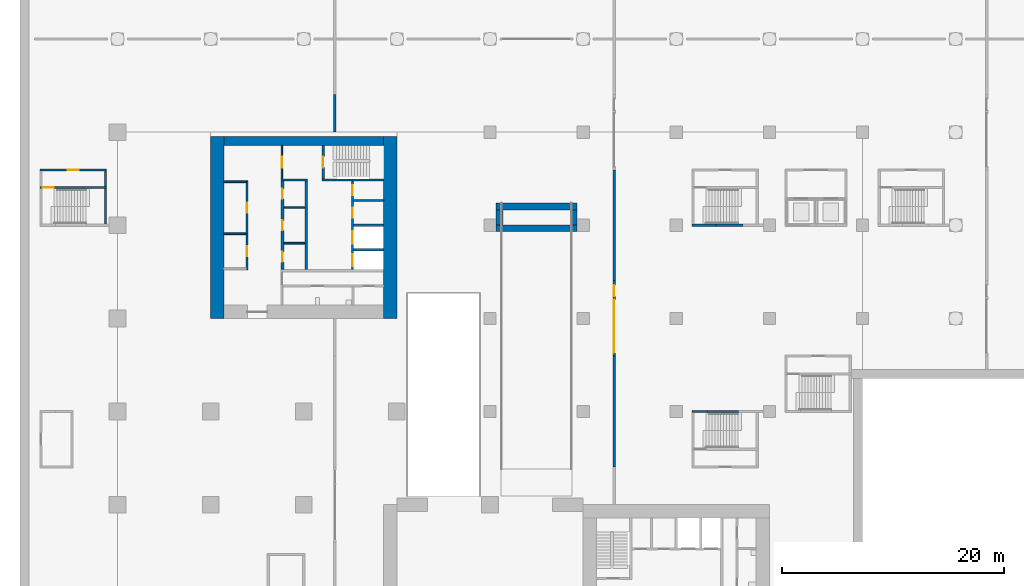
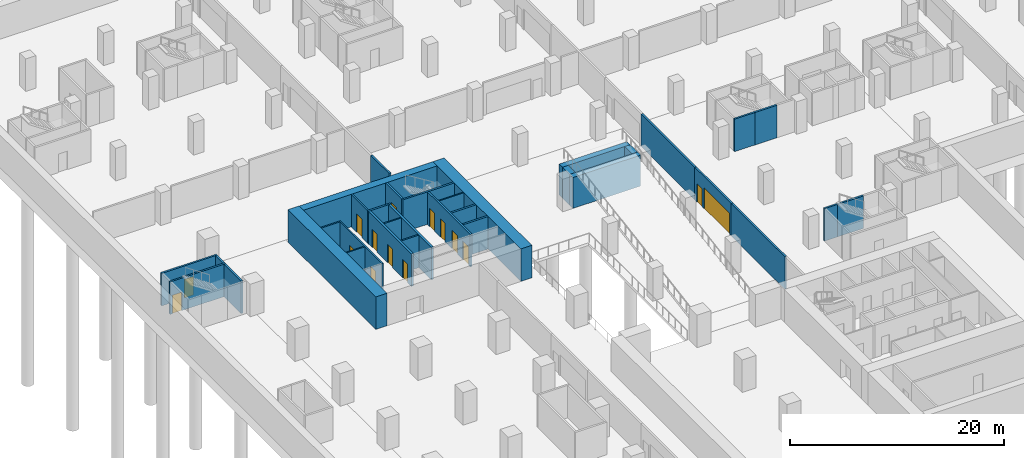
# One storey, part 6 of 19: 34 walls, 15 doors, 15 openings.
"""IFC4 building model written with IfcOpenShell, lengths in metres."""

from ifc_helpers import new_model, si_unit, direction, frame, frame_2d, origin, place, context, subcontext, project, spatial, rectangle, extrude, material, layer, layer_set, type_object, element, fill, save


model = new_model("IFC4")

# Units and contexts
model_context = context("Model", 3, precision=1e-05, world=origin(), true_north=direction((0.0, 1.0)))
body_context = subcontext(model_context, "Body", "Model", "MODEL_VIEW")
ifc_project = project(units=[si_unit("LENGTHUNIT", "METRE"), si_unit("AREAUNIT", "SQUARE_METRE"), si_unit("VOLUMEUNIT", "CUBIC_METRE"), si_unit("PLANEANGLEUNIT", "RADIAN"), si_unit("MASSUNIT", "GRAM", prefix="KILO")], contexts=[model_context])

# Site, building, storey
site_placement = place(None, origin())
site = spatial("IfcSite", under=ifc_project, at=site_placement, CompositionType="ELEMENT")
building_placement = place(site_placement, origin())
building = spatial("IfcBuilding", under=site, at=building_placement, Name="Vermilion Gate Residences", CompositionType="ELEMENT")
storey_placement = place(building_placement, frame((0.0, 0.0, -8.0)))
storey = spatial("IfcBuildingStorey", under=building, at=storey_placement, Name="B2", CompositionType="ELEMENT", Elevation=-8.0)

# Walls
ifc_material_1 = material(Name="Masonry blockwork", Category="masonry")
ifc_layer_1 = layer(ifc_material_1, 0.14990234375)
ifc_layer_set_1 = layer_set([ifc_layer_1], Name="BLOCKWORK PARTITION 150 EI 120")
wall_type_1 = type_object("IfcWallType", Name="BLOCKWORK PARTITION 150 EI 120", PredefinedType="PARTITIONING", material=ifc_layer_set_1)
for number, where, z_axis, x_axis, name in (
    (1, (9.60009765625, 54.324951171875, 0.0), (0.0, 0.0, 1.0), (1.0, 0.0, 0.0), "Core room partition BB2-RW-W"),
    (2, (9.60009765625, 49.64501953125, 0.0), (0.0, 0.0, 1.0), (1.0, 0.0, 0.0), "Core room partition BB2-SR-P0"),
):
    element("IfcWall", number, at=place(storey_placement, frame(where, z_axis=z_axis, x_axis=x_axis)), inside=storey, type_object=wall_type_1, Name=name, PredefinedType="PARTITIONING", context=body_context, shape_type="SweptSolid", body=[
        extrude(rectangle(XDim=2.0, YDim=0.14990234375, at=frame_2d((1.0, 0.0))), origin(), (0.0, 0.0, 1.0), 3.699951171875),
    ])

# Wall, openings, doors
wall_1_placement = place(storey_placement, frame((11.675048828125, 54.39990234375, 0.0), z_axis=(0.0, 0.0, 1.0), x_axis=(0.0, -1.0, 0.0)))
wall_1 = element("IfcWall", 3, at=wall_1_placement, inside=storey, type_object=wall_type_1, Name="Core room partition BB2-LR-F", PredefinedType="PARTITIONING", context=body_context, shape_type="SweptSolid", body=[
    extrude(rectangle(XDim=8.0, YDim=0.14990234375, at=frame_2d((4.0, 0.0))), origin(), (0.0, 0.0, 1.0), 3.699951171875),
])
opening_1_placement = place(wall_1_placement, frame((1.965087890625, 0.0, 0.0)))
opening_1 = element("IfcOpeningElement", 4, at=opening_1_placement, cuts=wall_1, Name="Opening DKB2102", PredefinedType="OPENING", context=body_context, shape_type="SweptSolid", body=[
    extrude(rectangle(XDim=0.89990234375, YDim=2.10009765625, at=frame_2d((0.449951171875, 1.050048828125))), frame((0.0, 0.0849609375, 0.0), z_axis=(0.0, -1.0, 0.0), x_axis=(1.0, 0.0, 0.0)), (0.0, 0.0, 1.0), 0.169921875),
])
opening_2_placement = place(wall_1_placement, frame((5.889892578125, 0.0, 0.0)))
opening_2 = element("IfcOpeningElement", 5, at=opening_2_placement, cuts=wall_1, Name="Opening DKB2103", PredefinedType="OPENING", context=body_context, shape_type="SweptSolid", body=[
    extrude(rectangle(XDim=0.89990234375, YDim=2.10009765625, at=frame_2d((0.449951171875, 1.050048828125))), frame((0.0, 0.0849609375, 0.0), z_axis=(0.0, -1.0, 0.0), x_axis=(1.0, 0.0, 0.0)), (0.0, 0.0, 1.0), 0.169921875),
])
ifc_material_2 = material(Name="Steel", Category="steel")
door_type_1 = type_object("IfcDoorType", Name="SERVICE ROOM DOOR FD60 900 X 2100", OperationType="SINGLE_SWING_LEFT", PredefinedType="DOOR", material=ifc_material_2)
door_1_placement = place(opening_1_placement, frame((0.89990234375, 0.0, 0.0), z_axis=(0.0, 0.0, 1.0), x_axis=(-1.0, 0.0, 0.0)))
door_1 = element("IfcDoor", 6, at=door_1_placement, inside=storey, type_object=door_type_1, Name="Mail room BB2", OperationType="SINGLE_SWING_LEFT", OverallHeight=2.10009765625, OverallWidth=0.89990234375, PredefinedType="DOOR", context=body_context, shape_type="SweptSolid", body=[
    extrude(rectangle(XDim=0.89990234375, YDim=2.10009765625, at=frame_2d((0.449951171875, 1.050048828125))), frame((0.0, 0.02490234375, 0.0), z_axis=(0.0, -1.0, 0.0), x_axis=(1.0, 0.0, 0.0)), (0.0, 0.0, 1.0), 0.050048828125),
])
fill(opening_1, door_1)
door_2_placement = place(opening_2_placement, frame((0.89990234375, 0.0, 0.0), z_axis=(0.0, 0.0, 1.0), x_axis=(-1.0, 0.0, 0.0)))
door_2 = element("IfcDoor", 7, at=door_2_placement, inside=storey, type_object=door_type_1, Name="Cleaner's store BB2", OperationType="SINGLE_SWING_LEFT", OverallHeight=2.10009765625, OverallWidth=0.89990234375, PredefinedType="DOOR", context=body_context, shape_type="SweptSolid", body=[
    extrude(rectangle(XDim=0.89990234375, YDim=2.10009765625, at=frame_2d((0.449951171875, 1.050048828125))), frame((0.0, 0.02490234375, 0.0), z_axis=(0.0, -1.0, 0.0), x_axis=(1.0, 0.0, 0.0)), (0.0, 0.0, 1.0), 0.050048828125),
])
fill(opening_2, door_2)

# Walls
for number, where, z_axis, x_axis, name in (
    (8, (15.0, 52.014892578125, 0.0), (0.0, 0.0, 1.0), (1.0, 0.0, 0.0), "Core room partition BB2-HR-P0"),
    (9, (15.0, 48.784912109375, 0.0), (0.0, 0.0, 1.0), (1.0, 0.0, 0.0), "Core room partition BB2-HR-P1"),
):
    element("IfcWall", number, at=place(storey_placement, frame(where, z_axis=z_axis, x_axis=x_axis)), inside=storey, type_object=wall_type_1, Name=name, PredefinedType="PARTITIONING", context=body_context, shape_type="SweptSolid", body=[
        extrude(rectangle(XDim=1.89990234375, YDim=0.14990234375, at=frame_2d((0.949951171875, 0.0))), origin(), (0.0, 0.0, 1.0), 3.699951171875),
    ])
wall_2_placement = place(storey_placement, frame((21.300048828125, 52.637451171875, 0.0), z_axis=(0.0, 0.0, 1.0), x_axis=(1.0, 0.0, 0.0)))
element("IfcWall", 10, at=wall_2_placement, inside=storey, type_object=wall_type_1, Name="Core room partition BB2-NR-P0", PredefinedType="PARTITIONING", context=body_context, shape_type="SweptSolid", body=[
    extrude(rectangle(XDim=2.699951171875, YDim=0.14990234375, at=frame_2d((1.35009765625, 0.0))), origin(), (0.0, 0.0, 1.0), 3.699951171875),
])

# Wall, opening, door
wall_3_placement = place(storey_placement, frame((14.824951171875, 57.60009765625, 0.0), z_axis=(0.0, 0.0, 1.0), x_axis=(0.0, -1.0, 0.0)))
wall_3 = element("IfcWall", 11, at=wall_3_placement, inside=storey, type_object=wall_type_1, Name="Core room partition BB2-VW-S", PredefinedType="PARTITIONING", context=body_context, shape_type="SweptSolid", body=[
    extrude(rectangle(XDim=3.0, YDim=0.14990234375, at=frame_2d((1.5, 0.0))), origin(), (0.0, 0.0, 1.0), 3.699951171875),
])
opening_3_placement = place(wall_3_placement, frame((1.0, 0.0, 0.0)))
opening_3 = element("IfcOpeningElement", 12, at=opening_3_placement, cuts=wall_3, Name="Opening DKB2111", PredefinedType="OPENING", context=body_context, shape_type="SweptSolid", body=[
    extrude(rectangle(XDim=1.0, YDim=2.10009765625, at=frame_2d((0.5, 1.050048828125))), frame((0.0, 0.0849609375, 0.0), z_axis=(0.0, -1.0, 0.0), x_axis=(1.0, 0.0, 0.0)), (0.0, 0.0, 1.0), 0.169921875),
])
ifc_material_3 = material(Name="Steel", Category="steel")
door_type_2 = type_object("IfcDoorType", Name="FIRE DOOR FD60 1000 X 2100", OperationType="SINGLE_SWING_LEFT", PredefinedType="DOOR", material=ifc_material_3)
door_3_placement = place(opening_3_placement, frame((1.0, 0.0, 0.0), z_axis=(0.0, 0.0, 1.0), x_axis=(-1.0, 0.0, 0.0)))
door_3 = element("IfcDoor", 13, at=door_3_placement, inside=storey, type_object=door_type_2, Name="Stair vestibule door BB2", OperationType="SINGLE_SWING_RIGHT", OverallHeight=2.10009765625, OverallWidth=1.0, PredefinedType="DOOR", context=body_context, shape_type="SweptSolid", body=[
    extrude(rectangle(XDim=1.0, YDim=2.10009765625, at=frame_2d((0.5, 1.050048828125))), frame((0.0, 0.02490234375, 0.0), z_axis=(0.0, -1.0, 0.0), x_axis=(1.0, 0.0, 0.0)), (0.0, 0.0, 1.0), 0.050048828125),
])
fill(opening_3, door_3)

# Walls
ifc_material_4 = material(Name="Concrete blockwork", Category="masonry")
ifc_layer_2 = layer(ifc_material_4, 0.199951171875)
ifc_layer_set_2 = layer_set([ifc_layer_2], Name="GARAGE FIRE WALL 200 EI 120 (AMENITY)")
wall_type_2 = type_object("IfcWallType", Name="GARAGE FIRE WALL 200 EI 120 (AMENITY)", PredefinedType="PARTITIONING", material=ifc_layer_set_2)
wall_4_placement = place(storey_placement, frame((19.60009765625, 58.800048828125, 0.0), z_axis=(0.0, 0.0, 1.0), x_axis=(0.0, 1.0, 0.0)))
element("IfcWall", 14, at=wall_4_placement, inside=storey, type_object=wall_type_2, Name="Fire compartment wall", PredefinedType="PARTITIONING", context=body_context, shape_type="SweptSolid", body=[
    extrude(rectangle(XDim=3.39990234375, YDim=0.199951171875, at=frame_2d((1.699951171875, 0.0))), origin(), (0.0, 0.0, 1.0), 3.699951171875),
])
wall_5_placement = place(storey_placement, frame((44.800048828125, 28.60009765625, 0.0), z_axis=(0.0, 0.0, 1.0), x_axis=(0.0, 1.0, 0.0)))
element("IfcWall", 15, at=wall_5_placement, inside=storey, type_object=wall_type_2, Name="Fire compartment wall", PredefinedType="PARTITIONING", context=body_context, shape_type="SweptSolid", body=[
    extrude(rectangle(XDim=10.0, YDim=0.199951171875, at=frame_2d((5.0, 0.0))), origin(), (0.0, 0.0, 1.0), 3.699951171875),
])

# Wall, openings, doors
wall_6_placement = place(storey_placement, frame((44.800048828125, 38.60009765625, 0.0), z_axis=(0.0, 0.0, 1.0), x_axis=(0.0, 1.0, 0.0)))
wall_6 = element("IfcWall", 16, at=wall_6_placement, inside=storey, type_object=wall_type_2, Name="Fire compartment wall", PredefinedType="PARTITIONING", context=body_context, shape_type="SweptSolid", body=[
    extrude(rectangle(XDim=6.7998046875, YDim=0.199951171875, at=frame_2d((3.39990234375, 0.0))), origin(), (0.0, 0.0, 1.0), 3.699951171875),
])
opening_4_placement = place(wall_6_placement, frame((0.300048828125, 0.0, 0.0)))
opening_4 = element("IfcOpeningElement", 17, at=opening_4_placement, cuts=wall_6, Name="Opening DGB2009", PredefinedType="OPENING", context=body_context, shape_type="SweptSolid", body=[
    extrude(rectangle(XDim=4.800048828125, YDim=2.39990234375, at=frame_2d((2.39990234375, 1.199951171875))), frame((0.0, 0.10986328125, 0.0), z_axis=(0.0, -1.0, 0.0), x_axis=(1.0, 0.0, 0.0)), (0.0, 0.0, 1.0), 0.219970703125),
])
opening_5_placement = place(wall_6_placement, frame((5.39990234375, 0.0, 0.0)))
opening_5 = element("IfcOpeningElement", 18, at=opening_5_placement, cuts=wall_6, Name="Opening DGB2010", PredefinedType="OPENING", context=body_context, shape_type="SweptSolid", body=[
    extrude(rectangle(XDim=1.0, YDim=2.10009765625, at=frame_2d((0.5, 1.050048828125))), frame((0.0, 0.10986328125, 0.0), z_axis=(0.0, -1.0, 0.0), x_axis=(1.0, 0.0, 0.0)), (0.0, 0.0, 1.0), 0.219970703125),
])
ifc_material_5 = material(Name="Steel", Category="steel")
door_type_3 = type_object("IfcDoorType", Name="DOOR 1000 X 2100 FD120 (AMENITY)", OperationType="SINGLE_SWING_LEFT", PredefinedType="DOOR", material=ifc_material_5)
door_4_placement = place(opening_5_placement, frame((1.0, 0.0, 0.0), z_axis=(0.0, 0.0, 1.0), x_axis=(-1.0, 0.0, 0.0)))
door_4 = element("IfcDoor", 19, at=door_4_placement, inside=storey, type_object=door_type_3, Name="Fire door", OperationType="SINGLE_SWING_RIGHT", OverallHeight=2.10009765625, OverallWidth=1.0, PredefinedType="DOOR", context=body_context, shape_type="SweptSolid", body=[
    extrude(rectangle(XDim=1.0, YDim=2.10009765625, at=frame_2d((0.5, 1.050048828125))), frame((0.0, 0.02490234375, 0.0), z_axis=(0.0, -1.0, 0.0), x_axis=(1.0, 0.0, 0.0)), (0.0, 0.0, 1.0), 0.050048828125),
])
fill(opening_5, door_4)
ifc_material_6 = material(Name="Steel", Category="steel")
door_type_4 = type_object("IfcDoorType", Name="FIRE SHUTTER 4800 X 2400 (AMENITY)", OperationType="ROLLINGUP", PredefinedType="GATE", material=ifc_material_6)
door_5_placement = place(opening_4_placement, origin())
door_5 = element("IfcDoor", 20, at=door_5_placement, inside=storey, type_object=door_type_4, Name="Fire shutter", OperationType="ROLLINGUP", OverallHeight=2.39990234375, OverallWidth=4.800048828125, PredefinedType="GATE", context=body_context, shape_type="SweptSolid", body=[
    extrude(rectangle(XDim=4.800048828125, YDim=2.39990234375, at=frame_2d((2.39990234375, 1.199951171875))), frame((0.0, 0.02490234375, 0.0), z_axis=(0.0, -1.0, 0.0), x_axis=(1.0, 0.0, 0.0)), (0.0, 0.0, 1.0), 0.050048828125),
])
fill(opening_4, door_5)

# Walls
wall_7_placement = place(storey_placement, frame((44.800048828125, 45.39990234375, 0.0), z_axis=(0.0, 0.0, 1.0), x_axis=(0.0, 1.0, 0.0)))
element("IfcWall", 21, at=wall_7_placement, inside=storey, type_object=wall_type_2, Name="Fire compartment wall", PredefinedType="PARTITIONING", context=body_context, shape_type="SweptSolid", body=[
    extrude(rectangle(XDim=10.0, YDim=0.199951171875, at=frame_2d((5.0, 0.0))), origin(), (0.0, 0.0, 1.0), 3.699951171875),
])
ifc_material_7 = material(Name="Concrete C40", Category="concrete")
ifc_layer_3 = layer(ifc_material_7, 0.60009765625)
ifc_layer_set_3 = layer_set([ifc_layer_3], Name="RAMP ABUTMENT WALL 600 (AMENITY)")
wall_type_3 = type_object("IfcWallType", Name="RAMP ABUTMENT WALL 600 (AMENITY)", PredefinedType="SOLIDWALL", material=ifc_layer_set_3)
for number, where, z_axis, x_axis, name in (
    (22, (34.14990234375, 50.14990234375, 0.0), (0.0, 0.0, 1.0), (1.0, 0.0, 0.0), "Ramp 2 abutment springing wall"),
    (23, (34.14990234375, 52.10009765625, 0.0), (0.0, 0.0, 1.0), (1.0, 0.0, 0.0), "Ramp 2 abutment head wall"),
):
    element("IfcWall", number, at=place(storey_placement, frame(where, z_axis=z_axis, x_axis=x_axis)), inside=storey, type_object=wall_type_3, Name=name, PredefinedType="SOLIDWALL", context=body_context, shape_type="SweptSolid", body=[
        extrude(rectangle(XDim=7.300048828125, YDim=0.60009765625, at=frame_2d((3.64990234375, 0.0))), origin(), (0.0, 0.0, 1.0), 3.52001953125),
    ])
for number, where, z_axis, x_axis, name in (
    (24, (34.449951171875, 50.449951171875, 0.0), (0.0, 0.0, 1.0), (0.0, 1.0, 0.0), "Ramp 2 abutment west wing wall"),
    (25, (41.14990234375, 50.449951171875, 0.0), (0.0, 0.0, 1.0), (0.0, 1.0, 0.0), "Ramp 2 abutment east wing wall"),
):
    element("IfcWall", number, at=place(storey_placement, frame(where, z_axis=z_axis, x_axis=x_axis)), inside=storey, type_object=wall_type_3, Name=name, PredefinedType="SOLIDWALL", context=body_context, shape_type="SweptSolid", body=[
        extrude(rectangle(XDim=1.35009765625, YDim=0.60009765625, at=frame_2d((0.675048828125, 0.0))), origin(), (0.0, 0.0, 1.0), 3.52001953125),
    ])
ifc_material_8 = material(Name="Concrete C60", Category="concrete")
ifc_layer_4 = layer(ifc_material_8, 0.199951171875)
ifc_layer_set_4 = layer_set([ifc_layer_4], Name="RC CORE INTERNAL WALL 200 C60")
wall_type_4 = type_object("IfcWallType", Name="RC CORE INTERNAL WALL 200 C60", PredefinedType="SHEAR", material=ifc_layer_set_4)
for number, where, z_axis, x_axis, name in (
    (26, (21.300048828125, 50.39990234375, 0.0), (0.0, 0.0, 1.0), (1.0, 0.0, 0.0), "Core internal wall BB2-FF-D0"),
    (27, (21.300048828125, 48.199951171875, 0.0), (0.0, 0.0, 1.0), (1.0, 0.0, 0.0), "Core internal wall BB2-FF-D1"),
):
    element("IfcWall", number, at=place(storey_placement, frame(where, z_axis=z_axis, x_axis=x_axis)), inside=storey, type_object=wall_type_4, Name=name, PredefinedType="SHEAR", context=body_context, shape_type="SweptSolid", body=[
        extrude(rectangle(XDim=2.699951171875, YDim=0.199951171875, at=frame_2d((1.35009765625, 0.0))), origin(), (0.0, 0.0, 1.0), 3.699951171875),
    ])

# Wall, openings, doors
wall_8_placement = place(storey_placement, frame((21.199951171875, 54.39990234375, 0.0), z_axis=(0.0, 0.0, 1.0), x_axis=(0.0, -1.0, 0.0)))
wall_8 = element("IfcWall", 28, at=wall_8_placement, inside=storey, type_object=wall_type_4, Name="Core internal wall BB2-FF-F", PredefinedType="SHEAR", context=body_context, shape_type="SweptSolid", body=[
    extrude(rectangle(XDim=8.0, YDim=0.199951171875, at=frame_2d((4.0, 0.0))), origin(), (0.0, 0.0, 1.0), 3.699951171875),
])
opening_6_placement = place(wall_8_placement, frame((0.393798828125, 0.0, 0.0)))
opening_6 = element("IfcOpeningElement", 29, at=opening_6_placement, cuts=wall_8, Name="Opening DKB2107", PredefinedType="OPENING", context=body_context, shape_type="SweptSolid", body=[
    extrude(rectangle(XDim=0.89990234375, YDim=2.10009765625, at=frame_2d((0.449951171875, 1.050048828125))), frame((0.0, 0.10986328125, 0.0), z_axis=(0.0, -1.0, 0.0), x_axis=(1.0, 0.0, 0.0)), (0.0, 0.0, 1.0), 0.219970703125),
])
opening_7_placement = place(wall_8_placement, frame((2.418701171875, 0.0, 0.0)))
opening_7 = element("IfcOpeningElement", 30, at=opening_7_placement, cuts=wall_8, Name="Opening DKB2108", PredefinedType="OPENING", context=body_context, shape_type="SweptSolid", body=[
    extrude(rectangle(XDim=0.89990234375, YDim=2.10009765625, at=frame_2d((0.449951171875, 1.050048828125))), frame((0.0, 0.10986328125, 0.0), z_axis=(0.0, -1.0, 0.0), x_axis=(1.0, 0.0, 0.0)), (0.0, 0.0, 1.0), 0.219970703125),
])
opening_8_placement = place(wall_8_placement, frame((4.550048828125, 0.0, 0.0)))
opening_8 = element("IfcOpeningElement", 31, at=opening_8_placement, cuts=wall_8, Name="Opening LD", PredefinedType="OPENING", context=body_context, shape_type="SweptSolid", body=[
    extrude(rectangle(XDim=1.10009765625, YDim=2.10009765625, at=frame_2d((0.550048828125, 1.050048828125))), frame((0.0, 0.10986328125, 0.0), z_axis=(0.0, -1.0, 0.0), x_axis=(1.0, 0.0, 0.0)), (0.0, 0.0, 1.0), 0.219970703125),
])
opening_9_placement = place(wall_8_placement, frame((6.60009765625, 0.0, 0.0)))
opening_9 = element("IfcOpeningElement", 32, at=opening_9_placement, cuts=wall_8, Name="Opening LD", PredefinedType="OPENING", context=body_context, shape_type="SweptSolid", body=[
    extrude(rectangle(XDim=1.10009765625, YDim=2.10009765625, at=frame_2d((0.550048828125, 1.050048828125))), frame((0.0, 0.10986328125, 0.0), z_axis=(0.0, -1.0, 0.0), x_axis=(1.0, 0.0, 0.0)), (0.0, 0.0, 1.0), 0.219970703125),
])
ifc_material_9 = material(Name="Stainless steel", Category="steel")
door_type_5 = type_object("IfcDoorType", Name="LIFT LANDING DOOR E60 1100 X 2100", OperationType="DOUBLE_DOOR_SLIDING", PredefinedType="DOOR", material=ifc_material_9)
door_6_placement = place(opening_8_placement, origin())
door_6 = element("IfcDoor", 33, at=door_6_placement, inside=storey, type_object=door_type_5, Name="Lift landing door LFB1", OperationType="DOUBLE_DOOR_SLIDING", OverallHeight=2.10009765625, OverallWidth=1.10009765625, PredefinedType="DOOR", context=body_context, shape_type="SweptSolid", body=[
    extrude(rectangle(XDim=1.10009765625, YDim=2.10009765625, at=frame_2d((0.550048828125, 1.050048828125))), frame((0.0, 0.02490234375, 0.0), z_axis=(0.0, -1.0, 0.0), x_axis=(1.0, 0.0, 0.0)), (0.0, 0.0, 1.0), 0.050048828125),
])
fill(opening_8, door_6)
door_7_placement = place(opening_9_placement, origin())
door_7 = element("IfcDoor", 34, at=door_7_placement, inside=storey, type_object=door_type_5, Name="Lift landing door LCB1", OperationType="DOUBLE_DOOR_SLIDING", OverallHeight=2.10009765625, OverallWidth=1.10009765625, PredefinedType="DOOR", context=body_context, shape_type="SweptSolid", body=[
    extrude(rectangle(XDim=1.10009765625, YDim=2.10009765625, at=frame_2d((0.550048828125, 1.050048828125))), frame((0.0, 0.02490234375, 0.0), z_axis=(0.0, -1.0, 0.0), x_axis=(1.0, 0.0, 0.0)), (0.0, 0.0, 1.0), 0.050048828125),
])
fill(opening_9, door_7)
door_8_placement = place(opening_6_placement, origin())
door_8 = element("IfcDoor", 35, at=door_8_placement, inside=storey, type_object=door_type_1, Name="Housekeeping store BB2", OperationType="SINGLE_SWING_RIGHT", OverallHeight=2.10009765625, OverallWidth=0.89990234375, PredefinedType="DOOR", context=body_context, shape_type="SweptSolid", body=[
    extrude(rectangle(XDim=0.89990234375, YDim=2.10009765625, at=frame_2d((0.449951171875, 1.050048828125))), frame((0.0, 0.02490234375, 0.0), z_axis=(0.0, -1.0, 0.0), x_axis=(1.0, 0.0, 0.0)), (0.0, 0.0, 1.0), 0.050048828125),
])
fill(opening_6, door_8)
door_9_placement = place(opening_7_placement, origin())
door_9 = element("IfcDoor", 36, at=door_9_placement, inside=storey, type_object=door_type_1, Name="Mail room BB2", OperationType="SINGLE_SWING_RIGHT", OverallHeight=2.10009765625, OverallWidth=0.89990234375, PredefinedType="DOOR", context=body_context, shape_type="SweptSolid", body=[
    extrude(rectangle(XDim=0.89990234375, YDim=2.10009765625, at=frame_2d((0.449951171875, 1.050048828125))), frame((0.0, 0.02490234375, 0.0), z_axis=(0.0, -1.0, 0.0), x_axis=(1.0, 0.0, 0.0)), (0.0, 0.0, 1.0), 0.050048828125),
])
fill(opening_7, door_9)

# Walls
wall_9_placement = place(storey_placement, frame((14.75, 54.5, 0.0), z_axis=(0.0, 0.0, 1.0), x_axis=(1.0, 0.0, 0.0)))
element("IfcWall", 37, at=wall_9_placement, inside=storey, type_object=wall_type_4, Name="Core internal wall BB2-WDIV1", PredefinedType="SHEAR", context=body_context, shape_type="SweptSolid", body=[
    extrude(rectangle(XDim=2.39990234375, YDim=0.199951171875, at=frame_2d((1.199951171875, 0.0))), origin(), (0.0, 0.0, 1.0), 3.699951171875),
])
wall_10_placement = place(storey_placement, frame((18.449951171875, 54.5, 0.0), z_axis=(0.0, 0.0, 1.0), x_axis=(1.0, 0.0, 0.0)))
element("IfcWall", 38, at=wall_10_placement, inside=storey, type_object=wall_type_4, Name="Core internal wall BB2-WDIV2", PredefinedType="SHEAR", context=body_context, shape_type="SweptSolid", body=[
    extrude(rectangle(XDim=5.550048828125, YDim=0.199951171875, at=frame_2d((2.77490234375, 0.0))), origin(), (0.0, 0.0, 1.0), 3.699951171875),
])

# Wall, opening, door
wall_11_placement = place(storey_placement, frame((18.550048828125, 57.60009765625, 0.0), z_axis=(0.0, 0.0, 1.0), x_axis=(0.0, -1.0, 0.0)))
wall_11 = element("IfcWall", 39, at=wall_11_placement, inside=storey, type_object=wall_type_4, Name="Core internal wall BB2-STW-S", PredefinedType="SHEAR", context=body_context, shape_type="SweptSolid", body=[
    extrude(rectangle(XDim=3.0, YDim=0.199951171875, at=frame_2d((1.5, 0.0))), origin(), (0.0, 0.0, 1.0), 3.699951171875),
])
opening_10_placement = place(wall_11_placement, frame((1.0, 0.0, 0.0)))
opening_10 = element("IfcOpeningElement", 40, at=opening_10_placement, cuts=wall_11, Name="Opening DKB2112", PredefinedType="OPENING", context=body_context, shape_type="SweptSolid", body=[
    extrude(rectangle(XDim=1.0, YDim=2.10009765625, at=frame_2d((0.5, 1.050048828125))), frame((0.0, 0.10986328125, 0.0), z_axis=(0.0, -1.0, 0.0), x_axis=(1.0, 0.0, 0.0)), (0.0, 0.0, 1.0), 0.219970703125),
])
door_10_placement = place(opening_10_placement, origin())
door_10 = element("IfcDoor", 41, at=door_10_placement, inside=storey, type_object=door_type_2, Name="Stair door BB2", OperationType="SINGLE_SWING_LEFT", OverallHeight=2.10009765625, OverallWidth=1.0, PredefinedType="DOOR", context=body_context, shape_type="SweptSolid", body=[
    extrude(rectangle(XDim=1.0, YDim=2.10009765625, at=frame_2d((0.5, 1.050048828125))), frame((0.0, 0.02490234375, 0.0), z_axis=(0.0, -1.0, 0.0), x_axis=(1.0, 0.0, 0.0)), (0.0, 0.0, 1.0), 0.050048828125),
])
fill(opening_10, door_10)

# Walls
ifc_material_10 = material(Name="Concrete C80", Category="concrete")
ifc_layer_5 = layer(ifc_material_10, 1.199951171875)
ifc_layer_set_5 = layer_set([ifc_layer_5], Name="RC CORE WALL 1200 C80")
wall_type_5 = type_object("IfcWallType", Name="RC CORE WALL 1200 C80", PredefinedType="SHEAR", material=ifc_layer_set_5)
for number, where, z_axis, x_axis, name in (
    (42, (9.0, 58.39990234375, 0.0), (0.0, 0.0, 1.0), (0.0, -1.0, 0.0), "Core wall BB2-OUT-B0"),
    (43, (24.60009765625, 58.39990234375, 0.0), (0.0, 0.0, 1.0), (0.0, -1.0, 0.0), "Core wall BB2-OUT-B1"),
):
    element("IfcWall", number, at=place(storey_placement, frame(where, z_axis=z_axis, x_axis=x_axis)), inside=storey, type_object=wall_type_5, Name=name, PredefinedType="SHEAR", context=body_context, shape_type="SweptSolid", body=[
        extrude(rectangle(XDim=16.39990234375, YDim=1.199951171875, at=frame_2d((8.199951171875, 0.0))), origin(), (0.0, 0.0, 1.0), 3.699951171875),
    ])
ifc_material_11 = material(Name="Concrete C80", Category="concrete")
ifc_layer_6 = layer(ifc_material_11, 0.800048828125)
ifc_layer_set_6 = layer_set([ifc_layer_6], Name="RC CORE WALL 800 C80")
wall_type_6 = type_object("IfcWallType", Name="RC CORE WALL 800 C80", PredefinedType="SHEAR", material=ifc_layer_set_6)
wall_12_placement = place(storey_placement, frame((9.60009765625, 58.0, 0.0), z_axis=(0.0, 0.0, 1.0), x_axis=(1.0, 0.0, 0.0)))
element("IfcWall", 44, at=wall_12_placement, inside=storey, type_object=wall_type_6, Name="Core wall BB2-OUT-FR", PredefinedType="SHEAR", context=body_context, shape_type="SweptSolid", body=[
    extrude(rectangle(XDim=14.39990234375, YDim=0.800048828125, at=frame_2d((7.199951171875, 0.0))), origin(), (0.0, 0.0, 1.0), 3.699951171875),
])

# Wall, openings, doors
ifc_material_12 = material(Name="Concrete C60", Category="concrete")
ifc_layer_7 = layer(ifc_material_12, 0.25)
ifc_layer_set_7 = layer_set([ifc_layer_7], Name="RC LIFT SHAFT WALL 250 C60")
wall_type_7 = type_object("IfcWallType", Name="RC LIFT SHAFT WALL 250 C60", PredefinedType="SHEAR", material=ifc_layer_set_7)
wall_13_placement = place(storey_placement, frame((14.875, 54.39990234375, 0.0), z_axis=(0.0, 0.0, 1.0), x_axis=(0.0, -1.0, 0.0)))
wall_13 = element("IfcWall", 45, at=wall_13_placement, inside=storey, type_object=wall_type_7, Name="Lift shaft wall BB2-HR-F", PredefinedType="SHEAR", context=body_context, shape_type="SweptSolid", body=[
    extrude(rectangle(XDim=8.0, YDim=0.25, at=frame_2d((4.0, 0.0))), origin(), (0.0, 0.0, 1.0), 3.699951171875),
])
opening_11_placement = place(wall_13_placement, frame((0.705078125, 0.0, 0.0)))
opening_11 = element("IfcOpeningElement", 46, at=opening_11_placement, cuts=wall_13, Name="Opening DKB2104", PredefinedType="OPENING", context=body_context, shape_type="SweptSolid", body=[
    extrude(rectangle(XDim=0.89990234375, YDim=2.10009765625, at=frame_2d((0.449951171875, 1.050048828125))), frame((0.0, 0.135009765625, 0.0), z_axis=(0.0, -1.0, 0.0), x_axis=(1.0, 0.0, 0.0)), (0.0, 0.0, 1.0), 0.27001953125),
])
opening_12_placement = place(wall_13_placement, frame((3.550048828125, 0.0, 0.0)))
opening_12 = element("IfcOpeningElement", 47, at=opening_12_placement, cuts=wall_13, Name="Opening DKB2105", PredefinedType="OPENING", context=body_context, shape_type="SweptSolid", body=[
    extrude(rectangle(XDim=0.89990234375, YDim=2.10009765625, at=frame_2d((0.449951171875, 1.050048828125))), frame((0.0, 0.135009765625, 0.0), z_axis=(0.0, -1.0, 0.0), x_axis=(1.0, 0.0, 0.0)), (0.0, 0.0, 1.0), 0.27001953125),
])
opening_13_placement = place(wall_13_placement, frame((6.39501953125, 0.0, 0.0)))
opening_13 = element("IfcOpeningElement", 48, at=opening_13_placement, cuts=wall_13, Name="Opening DKB2106", PredefinedType="OPENING", context=body_context, shape_type="SweptSolid", body=[
    extrude(rectangle(XDim=0.89990234375, YDim=2.10009765625, at=frame_2d((0.449951171875, 1.050048828125))), frame((0.0, 0.135009765625, 0.0), z_axis=(0.0, -1.0, 0.0), x_axis=(1.0, 0.0, 0.0)), (0.0, 0.0, 1.0), 0.27001953125),
])
door_11_placement = place(opening_11_placement, frame((0.89990234375, 0.0, 0.0), z_axis=(0.0, 0.0, 1.0), x_axis=(-1.0, 0.0, 0.0)))
door_11 = element("IfcDoor", 49, at=door_11_placement, inside=storey, type_object=door_type_1, Name="Generator room BB2", OperationType="SINGLE_SWING_RIGHT", OverallHeight=2.10009765625, OverallWidth=0.89990234375, PredefinedType="DOOR", context=body_context, shape_type="SweptSolid", body=[
    extrude(rectangle(XDim=0.89990234375, YDim=2.10009765625, at=frame_2d((0.449951171875, 1.050048828125))), frame((0.0, 0.02490234375, 0.0), z_axis=(0.0, -1.0, 0.0), x_axis=(1.0, 0.0, 0.0)), (0.0, 0.0, 1.0), 0.050048828125),
])
fill(opening_11, door_11)
door_12_placement = place(opening_12_placement, frame((0.89990234375, 0.0, 0.0), z_axis=(0.0, 0.0, 1.0), x_axis=(-1.0, 0.0, 0.0)))
door_12 = element("IfcDoor", 50, at=door_12_placement, inside=storey, type_object=door_type_1, Name="Plant room BB2", OperationType="SINGLE_SWING_RIGHT", OverallHeight=2.10009765625, OverallWidth=0.89990234375, PredefinedType="DOOR", context=body_context, shape_type="SweptSolid", body=[
    extrude(rectangle(XDim=0.89990234375, YDim=2.10009765625, at=frame_2d((0.449951171875, 1.050048828125))), frame((0.0, 0.02490234375, 0.0), z_axis=(0.0, -1.0, 0.0), x_axis=(1.0, 0.0, 0.0)), (0.0, 0.0, 1.0), 0.050048828125),
])
fill(opening_12, door_12)
door_13_placement = place(opening_13_placement, frame((0.89990234375, 0.0, 0.0), z_axis=(0.0, 0.0, 1.0), x_axis=(-1.0, 0.0, 0.0)))
door_13 = element("IfcDoor", 51, at=door_13_placement, inside=storey, type_object=door_type_1, Name="Pump room BB2", OperationType="SINGLE_SWING_RIGHT", OverallHeight=2.10009765625, OverallWidth=0.89990234375, PredefinedType="DOOR", context=body_context, shape_type="SweptSolid", body=[
    extrude(rectangle(XDim=0.89990234375, YDim=2.10009765625, at=frame_2d((0.449951171875, 1.050048828125))), frame((0.0, 0.02490234375, 0.0), z_axis=(0.0, -1.0, 0.0), x_axis=(1.0, 0.0, 0.0)), (0.0, 0.0, 1.0), 0.050048828125),
])
fill(opening_13, door_13)

# Wall
wall_14_placement = place(storey_placement, frame((17.02490234375, 54.39990234375, 0.0), z_axis=(0.0, 0.0, 1.0), x_axis=(0.0, -1.0, 0.0)))
element("IfcWall", 52, at=wall_14_placement, inside=storey, type_object=wall_type_7, Name="Lift shaft wall BB2-HR-B", PredefinedType="SHEAR", context=body_context, shape_type="SweptSolid", body=[
    extrude(rectangle(XDim=8.0, YDim=0.25, at=frame_2d((4.0, 0.0))), origin(), (0.0, 0.0, 1.0), 3.699951171875),
])

# Wall, opening, door
ifc_material_13 = material(Name="Concrete C40", Category="concrete")
ifc_layer_8 = layer(ifc_material_13, 0.199951171875)
ifc_layer_set_8 = layer_set([ifc_layer_8], Name="RC STAIR AND SHAFT WALL 200 EI 180 C40 (AMENITY)")
wall_type_8 = type_object("IfcWallType", Name="RC STAIR AND SHAFT WALL 200 EI 180 C40 (AMENITY)", PredefinedType="SOLIDWALL", material=ifc_layer_set_8)
wall_15_placement = place(storey_placement, frame((-7.0, 53.800048828125, 0.0), z_axis=(0.0, 0.0, 1.0), x_axis=(1.0, 0.0, 0.0)))
wall_15 = element("IfcWall", 53, at=wall_15_placement, inside=storey, type_object=wall_type_8, Name="Stair and shaft wall 12", PredefinedType="SOLIDWALL", context=body_context, shape_type="SweptSolid", body=[
    extrude(rectangle(XDim=6.0, YDim=0.199951171875, at=frame_2d((3.0, 0.0))), origin(), (0.0, 0.0, 1.0), 3.699951171875),
])
opening_14_placement = place(wall_15_placement, frame((0.25, 0.0, 0.0)))
opening_14 = element("IfcOpeningElement", 54, at=opening_14_placement, cuts=wall_15, Name="Opening DMB2008", PredefinedType="OPENING", context=body_context, shape_type="SweptSolid", body=[
    extrude(rectangle(XDim=1.0, YDim=2.10009765625, at=frame_2d((0.5, 1.050048828125))), frame((0.0, 0.10986328125, 0.0), z_axis=(0.0, -1.0, 0.0), x_axis=(1.0, 0.0, 0.0)), (0.0, 0.0, 1.0), 0.219970703125),
])
ifc_material_14 = material(Name="Steel", Category="steel")
door_type_6 = type_object("IfcDoorType", Name="DOOR 1000 X 2100 FD60 (AMENITY)", OperationType="SINGLE_SWING_LEFT", PredefinedType="DOOR", material=ifc_material_14)
door_14_placement = place(opening_14_placement, frame((1.0, 0.0, 0.0), z_axis=(0.0, 0.0, 1.0), x_axis=(-1.0, 0.0, 0.0)))
door_14 = element("IfcDoor", 55, at=door_14_placement, inside=storey, type_object=door_type_6, Name="Door B2 8", OperationType="SINGLE_SWING_LEFT", OverallHeight=2.10009765625, OverallWidth=1.0, PredefinedType="DOOR", context=body_context, shape_type="SweptSolid", body=[
    extrude(rectangle(XDim=1.0, YDim=2.10009765625, at=frame_2d((0.5, 1.050048828125))), frame((0.0, 0.02490234375, 0.0), z_axis=(0.0, -1.0, 0.0), x_axis=(1.0, 0.0, 0.0)), (0.0, 0.0, 1.0), 0.050048828125),
])
fill(opening_14, door_14)

wall_16_placement = place(storey_placement, frame((-7.0, 55.39990234375, 0.0), z_axis=(0.0, 0.0, 1.0), x_axis=(1.0, 0.0, 0.0)))
wall_16 = element("IfcWall", 56, at=wall_16_placement, inside=storey, type_object=wall_type_8, Name="Stair and shaft wall 13", PredefinedType="SOLIDWALL", context=body_context, shape_type="SweptSolid", body=[
    extrude(rectangle(XDim=6.0, YDim=0.199951171875, at=frame_2d((3.0, 0.0))), origin(), (0.0, 0.0, 1.0), 3.699951171875),
])
opening_15_placement = place(wall_16_placement, frame((2.5, 0.0, 0.0)))
opening_15 = element("IfcOpeningElement", 57, at=opening_15_placement, cuts=wall_16, Name="Opening DMB2007", PredefinedType="OPENING", context=body_context, shape_type="SweptSolid", body=[
    extrude(rectangle(XDim=1.0, YDim=2.10009765625, at=frame_2d((0.5, 1.050048828125))), frame((0.0, 0.10986328125, 0.0), z_axis=(0.0, -1.0, 0.0), x_axis=(1.0, 0.0, 0.0)), (0.0, 0.0, 1.0), 0.219970703125),
])
door_15_placement = place(opening_15_placement, origin())
door_15 = element("IfcDoor", 58, at=door_15_placement, inside=storey, type_object=door_type_6, Name="Door B2 7", OperationType="SINGLE_SWING_LEFT", OverallHeight=2.10009765625, OverallWidth=1.0, PredefinedType="DOOR", context=body_context, shape_type="SweptSolid", body=[
    extrude(rectangle(XDim=1.0, YDim=2.10009765625, at=frame_2d((0.5, 1.050048828125))), frame((0.0, 0.02490234375, 0.0), z_axis=(0.0, -1.0, 0.0), x_axis=(1.0, 0.0, 0.0)), (0.0, 0.0, 1.0), 0.050048828125),
])
fill(opening_15, door_15)

# Walls
wall_17_placement = place(storey_placement, frame((-1.10009765625, 50.5, 0.0), z_axis=(0.0, 0.0, 1.0), x_axis=(0.0, 1.0, 0.0)))
element("IfcWall", 59, at=wall_17_placement, inside=storey, type_object=wall_type_8, Name="Stair and shaft wall 29", PredefinedType="SOLIDWALL", context=body_context, shape_type="SweptSolid", body=[
    extrude(rectangle(XDim=3.199951171875, YDim=0.199951171875, at=frame_2d((1.60009765625, 0.0))), origin(), (0.0, 0.0, 1.0), 3.699951171875),
])
wall_18_placement = place(storey_placement, frame((-1.10009765625, 53.89990234375, 0.0), z_axis=(0.0, 0.0, 1.0), x_axis=(0.0, 1.0, 0.0)))
element("IfcWall", 60, at=wall_18_placement, inside=storey, type_object=wall_type_8, Name="Stair and shaft wall 30", PredefinedType="SOLIDWALL", context=body_context, shape_type="SweptSolid", body=[
    extrude(rectangle(XDim=1.400146484375, YDim=0.199951171875, at=frame_2d((0.7001953125, 0.0))), origin(), (0.0, 0.0, 1.0), 3.699951171875),
])
wall_19_placement = place(storey_placement, frame((51.800048828125, 33.60009765625, 0.0), z_axis=(0.0, 0.0, 1.0), x_axis=(1.0, 0.0, 0.0)))
element("IfcWall", 61, at=wall_19_placement, inside=storey, type_object=wall_type_8, Name="Stair and shaft wall 70", PredefinedType="SOLIDWALL", context=body_context, shape_type="SweptSolid", body=[
    extrude(rectangle(XDim=1.39990234375, YDim=0.199951171875, at=frame_2d((0.699951171875, 0.0))), origin(), (0.0, 0.0, 1.0), 3.699951171875),
])
wall_20_placement = place(storey_placement, frame((51.800048828125, 50.39990234375, 0.0), z_axis=(0.0, 0.0, 1.0), x_axis=(1.0, 0.0, 0.0)))
element("IfcWall", 62, at=wall_20_placement, inside=storey, type_object=wall_type_8, Name="Stair and shaft wall 72", PredefinedType="SOLIDWALL", context=body_context, shape_type="SweptSolid", body=[
    extrude(rectangle(XDim=2.199951171875, YDim=0.199951171875, at=frame_2d((1.10009765625, 0.0))), origin(), (0.0, 0.0, 1.0), 3.699951171875),
])
wall_21_placement = place(storey_placement, frame((53.199951171875, 33.60009765625, 0.0), z_axis=(0.0, 0.0, 1.0), x_axis=(1.0, 0.0, 0.0)))
element("IfcWall", 63, at=wall_21_placement, inside=storey, type_object=wall_type_8, Name="Stair and shaft wall 81", PredefinedType="SOLIDWALL", context=body_context, shape_type="SweptSolid", body=[
    extrude(rectangle(XDim=2.800048828125, YDim=0.199951171875, at=frame_2d((1.39990234375, 0.0))), origin(), (0.0, 0.0, 1.0), 3.699951171875),
])
wall_22_placement = place(storey_placement, frame((54.0, 50.39990234375, 0.0), z_axis=(0.0, 0.0, 1.0), x_axis=(1.0, 0.0, 0.0)))
element("IfcWall", 64, at=wall_22_placement, inside=storey, type_object=wall_type_8, Name="Stair and shaft wall 83", PredefinedType="SOLIDWALL", context=body_context, shape_type="SweptSolid", body=[
    extrude(rectangle(XDim=2.39990234375, YDim=0.199951171875, at=frame_2d((1.199951171875, 0.0))), origin(), (0.0, 0.0, 1.0), 3.699951171875),
])

save(model, "model.ifc")
